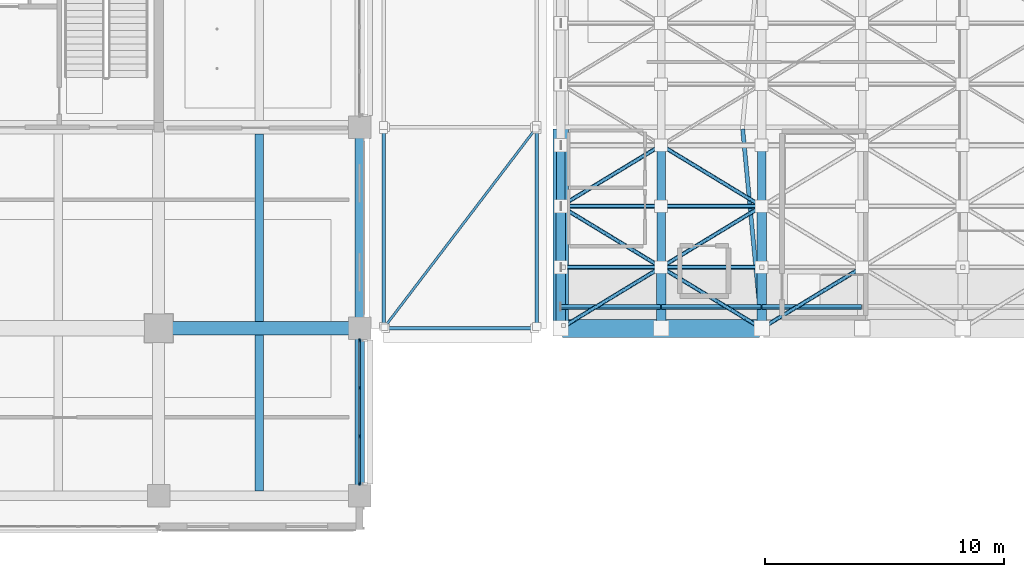
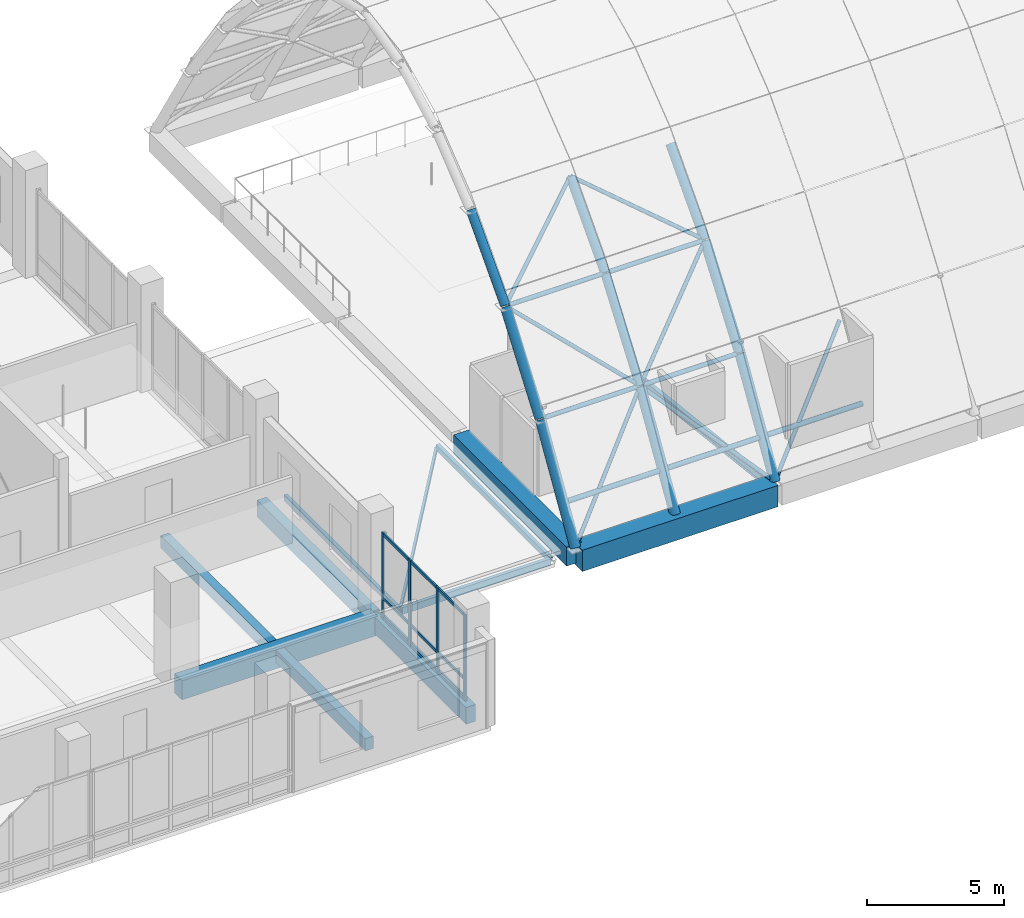
# One storey, part 22 of 128: 31 members, 17 beams, 1 element without a shape of its own.
"""IFC4 building model written with IfcOpenShell, lengths in metres."""

from ifc_helpers import new_model, si_unit, direction, frame, origin, origin_2d, place, context, subcontext, project, spatial, rectangle, hollow_rectangle, hollow_circle, i_section, extrude, material, layer, layer_set, material_profile, profile_set, type_object, element, aggregate, save


model = new_model("IFC4")

# Units and contexts
model_context = context("Model", 3, precision=1e-05, world=origin(), true_north=direction((0.0, 1.0)))
body_context = subcontext(model_context, "Body", "Model", "MODEL_VIEW")
ifc_project = project(units=[si_unit("LENGTHUNIT", "METRE"), si_unit("AREAUNIT", "SQUARE_METRE"), si_unit("VOLUMEUNIT", "CUBIC_METRE"), si_unit("PLANEANGLEUNIT", "RADIAN"), si_unit("MASSUNIT", "GRAM", prefix="KILO")], contexts=[model_context])

# Site, building, storey
site_placement = place(None, origin())
site = spatial("IfcSite", under=ifc_project, at=site_placement, CompositionType="ELEMENT")
building_placement = place(site_placement, origin())
building = spatial("IfcBuilding", under=site, at=building_placement, Name="Telukmera Botanical Conservatory", CompositionType="ELEMENT")
storey_placement = place(building_placement, frame((0.0, 0.0, 5.39990234375)))
storey = spatial("IfcBuildingStorey", under=building, at=storey_placement, Name="L01", CompositionType="ELEMENT", Elevation=5.39990234375)

# Beams
ifc_material_1 = material(Name="Concrete C40/50", Category="concrete")
ifc_material_profile_1 = material_profile(ifc_material_1, rectangle(XDim=0.35009765625, YDim=0.550048828125, at=origin_2d()), Name="RC 350x550")
ifc_profile_set_1 = profile_set([ifc_material_profile_1], Name="Concrete C40/50")
beam_type_1 = type_object("IfcBeamType", Name="Beam_B21", PredefinedType="JOIST", material=ifc_profile_set_1)
beam_1_placement = place(storey_placement, frame((105.0, 10.800048828125, -0.27490234375), z_axis=(0.0, 1.0, 0.0), x_axis=(-1.0, 0.0, 0.0)))
element("IfcBeam", 1, at=beam_1_placement, inside=storey, type_object=beam_type_1, Name="Tower Secondary Floor Joist L01", PredefinedType="JOIST", context=body_context, shape_type="SweptSolid", body=[
    extrude(rectangle(XDim=0.35009765625, YDim=0.550048828125, at=origin_2d()), origin(), (0.0, 0.0, 1.0), 6.52490234375),
])
beam_2_placement = place(storey_placement, frame((105.0, 17.875, -0.27490234375), z_axis=(0.0, 1.0, 0.0), x_axis=(-1.0, 0.0, 0.0)))
element("IfcBeam", 2, at=beam_2_placement, inside=storey, type_object=beam_type_1, Name="Tower Secondary Floor Joist L01", PredefinedType="JOIST", context=body_context, shape_type="SweptSolid", body=[
    extrude(rectangle(XDim=0.35009765625, YDim=0.550048828125, at=origin_2d()), origin(), (0.0, 0.0, 1.0), 7.85009765625),
])
ifc_material_profile_2 = material_profile(ifc_material_1, rectangle(XDim=0.550048828125, YDim=0.85009765625, at=origin_2d()), Name="RC 550x850")
ifc_profile_set_2 = profile_set([ifc_material_profile_2], Name="Concrete C40/50")
beam_type_2 = type_object("IfcBeamType", Name="Beam_B4", PredefinedType="BEAM", material=ifc_profile_set_2)
beam_3_placement = place(storey_placement, frame((100.8798828125, 17.60009765625, -0.4248046875), z_axis=(1.0, 0.0, 0.0), x_axis=(0.0, 1.0, 0.0)))
element("IfcBeam", 3, at=beam_3_placement, inside=storey, type_object=beam_type_2, Name="Tower Grid Beam L01", PredefinedType="BEAM", context=body_context, shape_type="SweptSolid", body=[
    extrude(rectangle(XDim=0.550048828125, YDim=0.85009765625, at=origin_2d()), origin(), (0.0, 0.0, 1.0), 8.240234375),
])
ifc_material_2 = material(Name="Steel S355", Category="steel")
ifc_material_profile_3 = material_profile(ifc_material_2, hollow_circle(Radius=0.203125, WallThickness=0.01611328125, at=origin_2d()), Name="CHS 406.4x16.0")
ifc_profile_set_3 = profile_set([ifc_material_profile_3], Name="Steel S355")
beam_type_3 = type_object("IfcBeamType", Name="Beam_GA1", PredefinedType="BEAM", material=ifc_profile_set_3)
beam_4_placement = place(storey_placement, frame((117.60009765625, 17.60009765625, -0.079833984375), z_axis=(0.0, 0.5205024389, 0.853860182406), x_axis=(-1.0, 0.0, 0.0)))
element("IfcBeam", 4, at=beam_4_placement, inside=storey, type_object=beam_type_3, Name="Conservatory Gridshell Primary Arch Rib A00-00", PredefinedType="BEAM", context=body_context, shape_type="SweptSolid", body=[
    extrude(hollow_circle(Radius=0.203125, WallThickness=0.01611328125, at=origin_2d()), origin(), (0.0, 0.0, 1.0), 4.879150390625),
])
beam_5_placement = place(storey_placement, frame((117.60009765625, 20.161865234375, 4.119384765625), z_axis=(0.0, 0.591606531355, 0.806226836603), x_axis=(-1.0, 0.0, 0.0)))
element("IfcBeam", 5, at=beam_5_placement, inside=storey, type_object=beam_type_3, Name="Conservatory Gridshell Primary Arch Rib A00-01", PredefinedType="BEAM", context=body_context, shape_type="SweptSolid", body=[
    extrude(hollow_circle(Radius=0.203125, WallThickness=0.01611328125, at=origin_2d()), origin(), (0.0, 0.0, 1.0), 4.270263671875),
])
beam_6_placement = place(storey_placement, frame((126.0, 17.60009765625, -0.079833984375), z_axis=(0.0, 0.5205024389, 0.853860182406), x_axis=(-1.0, 0.0, 0.0)))
element("IfcBeam", 6, at=beam_6_placement, inside=storey, type_object=beam_type_3, Name="Conservatory Gridshell Primary Arch Rib A02-00", PredefinedType="BEAM", context=body_context, shape_type="SweptSolid", body=[
    extrude(hollow_circle(Radius=0.203125, WallThickness=0.01611328125, at=origin_2d()), origin(), (0.0, 0.0, 1.0), 4.879150390625),
])
beam_7_placement = place(storey_placement, frame((126.0, 20.161865234375, 4.119384765625), z_axis=(0.0, 0.591606531355, 0.806226836603), x_axis=(-1.0, 0.0, 0.0)))
element("IfcBeam", 7, at=beam_7_placement, inside=storey, type_object=beam_type_3, Name="Conservatory Gridshell Primary Arch Rib A02-01", PredefinedType="BEAM", context=body_context, shape_type="SweptSolid", body=[
    extrude(hollow_circle(Radius=0.203125, WallThickness=0.01611328125, at=origin_2d()), origin(), (0.0, 0.0, 1.0), 4.270263671875),
])
ifc_material_profile_4 = material_profile(ifc_material_2, hollow_circle(Radius=0.177734375, WallThickness=0.012451171875, at=origin_2d()), Name="CHS 355.6x12.5")
ifc_profile_set_4 = profile_set([ifc_material_profile_4], Name="Steel S355")
beam_type_4 = type_object("IfcBeamType", Name="Beam_GA2", PredefinedType="BEAM", material=ifc_profile_set_4)
for number, where, z_axis, x_axis, name in (
    (8, (117.60009765625, 22.713623046875, 7.593017578125), (0.0, 0.677596185256, 0.7354341641), (-1.0, 0.0, 0.0), "Conservatory Gridshell Primary Arch Rib A00-02"),
    (9, (126.0, 22.713623046875, 7.593017578125), (0.0, 0.677596185256, 0.7354341641), (-1.0, 0.0, 0.0), "Conservatory Gridshell Primary Arch Rib A02-02"),
):
    element("IfcBeam", number, at=place(storey_placement, frame(where, z_axis=z_axis, x_axis=x_axis)), inside=storey, type_object=beam_type_4, Name=name, PredefinedType="BEAM", context=body_context, shape_type="SweptSolid", body=[
        extrude(hollow_circle(Radius=0.177734375, WallThickness=0.012451171875, at=origin_2d()), origin(), (0.0, 0.0, 1.0), 3.722900390625),
    ])
ifc_material_profile_5 = material_profile(ifc_material_1, rectangle(XDim=0.75, YDim=0.949951171875, at=origin_2d()), Name="RC 750x950")
ifc_profile_set_5 = profile_set([ifc_material_profile_5], Name="Concrete C40/50")
beam_type_5 = type_object("IfcBeamType", Name="Beam_RB1", PredefinedType="BEAM", material=ifc_profile_set_5)
beam_8_placement = place(storey_placement, frame((117.679931640625, 17.60009765625, -0.474853515625), z_axis=(1.0, 0.0, 0.0), x_axis=(0.0, 1.0, 0.0)))
element("IfcBeam", 10, at=beam_8_placement, inside=storey, type_object=beam_type_5, Name="Conservatory Beam beam:V1:L01:rb_x:176:1176", PredefinedType="BEAM", context=body_context, shape_type="SweptSolid", body=[
    extrude(rectangle(XDim=0.75, YDim=0.949951171875, at=origin_2d()), origin(), (0.0, 0.0, 1.0), 8.239990234375),
])
ifc_material_profile_6 = material_profile(ifc_material_1, rectangle(XDim=0.64990234375, YDim=0.85009765625, at=origin_2d()), Name="RC 650x850")
ifc_profile_set_6 = profile_set([ifc_material_profile_6], Name="Concrete C40/50")
beam_type_6 = type_object("IfcBeamType", Name="Beam_RB2", PredefinedType="BEAM", material=ifc_profile_set_6)
beam_9_placement = place(storey_placement, frame((117.60009765625, 17.679931640625, -0.4248046875), z_axis=(0.0, 1.0, 0.0), x_axis=(-1.0, 0.0, 0.0)))
element("IfcBeam", 11, at=beam_9_placement, inside=storey, type_object=beam_type_6, Name="Conservatory Beam beam:V1:L01:rb_y:1176:176", PredefinedType="BEAM", context=body_context, shape_type="SweptSolid", body=[
    extrude(rectangle(XDim=0.64990234375, YDim=0.85009765625, at=origin_2d()), origin(), (0.0, 0.0, 1.0), 8.239990234375),
])
ifc_material_profile_7 = material_profile(ifc_material_2, i_section(OverallWidth=0.172119140625, OverallDepth=0.35791015625, WebThickness=0.008056640625, FlangeThickness=0.012939453125, FilletRadius=0.01025390625, at=origin_2d()), Name="UB 356x171x57")
ifc_profile_set_7 = profile_set([ifc_material_profile_7], Name="Steel S355")
beam_type_7 = type_object("IfcBeamType", Name="Beam_SB5", PredefinedType="JOIST", material=ifc_profile_set_7)
beam_10_placement = place(storey_placement, frame((125.992431640625, 17.6796875, -0.37890625), z_axis=(-0.094818835136, 0.995494544688, 0.0), x_axis=(-0.995494544688, -0.094818835136, 0.0)))
element("IfcBeam", 12, at=beam_10_placement, inside=storey, type_object=beam_type_7, Name="Conservatory Skywalk Transverse Steel Beam", PredefinedType="JOIST", context=body_context, shape_type="SweptSolid", body=[
    extrude(i_section(OverallWidth=0.172119140625, OverallDepth=0.35791015625, WebThickness=0.008056640625, FlangeThickness=0.012939453125, FilletRadius=0.01025390625, at=origin_2d()), origin(), (0.0, 0.0, 1.0), 8.278076171875),
])
ifc_material_profile_8 = material_profile(ifc_material_2, hollow_rectangle(XDim=0.14990234375, YDim=0.300048828125, WallThickness=0.010009765625, at=origin_2d()), Name="RHS 300x150x10.0")
ifc_profile_set_8 = profile_set([ifc_material_profile_8], Name="Steel S355")
beam_type_8 = type_object("IfcBeamType", Name="Beam_SB8", PredefinedType="BEAM", material=ifc_profile_set_8)
beam_11_placement = place(storey_placement, frame((110.280029296875, 17.60009765625, -0.309814453125), z_axis=(1.0, 0.0, 0.0), x_axis=(0.0, 1.0, 0.0)))
element("IfcBeam", 13, at=beam_11_placement, inside=storey, type_object=beam_type_8, Name="Canopy Steel Girder east_link", PredefinedType="BEAM", context=body_context, shape_type="SweptSolid", body=[
    extrude(hollow_rectangle(XDim=0.14990234375, YDim=0.300048828125, WallThickness=0.010009765625, at=origin_2d()), origin(), (0.0, 0.0, 1.0), 6.239990234375),
])
ifc_material_profile_9 = material_profile(ifc_material_2, hollow_rectangle(XDim=0.14990234375, YDim=0.25, WallThickness=0.008056640625, at=origin_2d()), Name="RHS 250x150x8.0")
ifc_profile_set_9 = profile_set([ifc_material_profile_9], Name="Steel S355")
beam_type_9 = type_object("IfcBeamType", Name="Beam_SB9", PredefinedType="JOIST", material=ifc_profile_set_9)
for number, where, z_axis, x_axis, name in (
    (14, (110.199951171875, 17.679931640625, -0.284912109375), (0.0, 1.0, 0.0), (-1.0, 0.0, 0.0), "Canopy Steel Purlin east_link"),
    (15, (116.60009765625, 17.679931640625, -0.284912109375), (0.0, 1.0, 0.0), (-1.0, 0.0, 0.0), "Canopy Steel Purlin east_link"),
):
    element("IfcBeam", number, at=place(storey_placement, frame(where, z_axis=z_axis, x_axis=x_axis)), inside=storey, type_object=beam_type_9, Name=name, PredefinedType="JOIST", context=body_context, shape_type="SweptSolid", body=[
        extrude(hollow_rectangle(XDim=0.14990234375, YDim=0.25, WallThickness=0.008056640625, at=origin_2d()), origin(), (0.0, 0.0, 1.0), 8.239990234375),
    ])
ifc_material_3 = material(Name="Precast concrete C40/50", Category="concrete")
ifc_material_profile_10 = material_profile(ifc_material_3, rectangle(XDim=0.39990234375, YDim=0.75, at=origin_2d()), Name="PC 400x750")
ifc_profile_set_10 = profile_set([ifc_material_profile_10], Name="Precast concrete C40/50")
beam_type_10 = type_object("IfcBeamType", Name="Beam_SP1", PredefinedType="SPANDREL", material=ifc_profile_set_10)
beam_12_placement = place(storey_placement, frame((109.199951171875, 10.679931640625, -0.375), z_axis=(0.0, 1.0, 0.0), x_axis=(-1.0, 0.0, 0.0)))
element("IfcBeam", 16, at=beam_12_placement, inside=storey, type_object=beam_type_10, Name="Tower Transverse Beam L01", PredefinedType="SPANDREL", context=body_context, shape_type="SweptSolid", body=[
    extrude(rectangle(XDim=0.39990234375, YDim=0.75, at=origin_2d()), origin(), (0.0, 0.0, 1.0), 6.840087890625),
])
beam_13_placement = place(storey_placement, frame((109.199951171875, 17.679931640625, -0.375), z_axis=(0.0, 1.0, 0.0), x_axis=(-1.0, 0.0, 0.0)))
element("IfcBeam", 17, at=beam_13_placement, inside=storey, type_object=beam_type_10, Name="Tower Transverse Beam L01", PredefinedType="SPANDREL", context=body_context, shape_type="SweptSolid", body=[
    extrude(rectangle(XDim=0.39990234375, YDim=0.75, at=origin_2d()), origin(), (0.0, 0.0, 1.0), 8.239990234375),
])

# Curtain wall, members
ifc_material_4 = material(Name="Anodised aluminium 6063-T6", Category="aluminium")
ifc_layer = layer(ifc_material_4, 0.179931640625)
ifc_layer_set = layer_set([ifc_layer], Name="Anodised aluminium 6063-T6")
curtain_wall_type = type_object("IfcCurtainWallType", Name="Tower Reference Library Curtain Wall", PredefinedType="USERDEFINED", material=ifc_layer_set)
curtain_wall_placement = place(storey_placement, origin())
curtain_wall = element("IfcCurtainWall", 18, at=curtain_wall_placement, inside=storey, type_object=curtain_wall_type, Name="Unitised Curtain Wall CW13 V4:L01:E1", ObjectType="UNITISED CURTAIN WALL", PredefinedType="USERDEFINED")
ifc_material_profile_11 = material_profile(ifc_material_4, rectangle(XDim=0.06494140625, YDim=0.159912109375, at=origin_2d()), Name="ALU MULL 65x160")
ifc_profile_set_11 = profile_set([ifc_material_profile_11], Name="Anodised aluminium 6063-T6")
member_type_1 = type_object("IfcMemberType", Name="Curtain Wall Extruded Mullion 65x160", PredefinedType="MULLION", material=ifc_profile_set_11)
member_1_placement = place(storey_placement, frame((109.199951171875, 11.109619140625, 0.0), z_axis=(0.0, 0.0, 1.0), x_axis=(-1.0, 0.0, 0.0)))
member_1 = element("IfcMember", 19, at=member_1_placement, type_object=member_type_1, Name="CW13 mullion 1", PredefinedType="MULLION", context=body_context, shape_type="SweptSolid", body=[
    extrude(rectangle(XDim=0.06494140625, YDim=0.159912109375, at=origin_2d()), origin(), (0.0, 0.0, 1.0), 3.85009765625),
])
member_2_placement = place(storey_placement, frame((109.199951171875, 13.09228515625, 0.0), z_axis=(0.0, 0.0, 1.0), x_axis=(-1.0, 0.0, 0.0)))
member_2 = element("IfcMember", 20, at=member_2_placement, type_object=member_type_1, Name="CW13 mullion 2", PredefinedType="MULLION", context=body_context, shape_type="SweptSolid", body=[
    extrude(rectangle(XDim=0.06494140625, YDim=0.159912109375, at=origin_2d()), origin(), (0.0, 0.0, 1.0), 3.85009765625),
])
member_3_placement = place(storey_placement, frame((109.199951171875, 15.107666015625, 0.0), z_axis=(0.0, 0.0, 1.0), x_axis=(-1.0, 0.0, 0.0)))
member_3 = element("IfcMember", 21, at=member_3_placement, type_object=member_type_1, Name="CW13 mullion 3", PredefinedType="MULLION", context=body_context, shape_type="SweptSolid", body=[
    extrude(rectangle(XDim=0.06494140625, YDim=0.159912109375, at=origin_2d()), origin(), (0.0, 0.0, 1.0), 3.85009765625),
])
member_4_placement = place(storey_placement, frame((109.199951171875, 17.090576171875, 0.0), z_axis=(0.0, 0.0, 1.0), x_axis=(-1.0, 0.0, 0.0)))
member_4 = element("IfcMember", 22, at=member_4_placement, type_object=member_type_1, Name="CW13 mullion 4", PredefinedType="MULLION", context=body_context, shape_type="SweptSolid", body=[
    extrude(rectangle(XDim=0.06494140625, YDim=0.159912109375, at=origin_2d()), origin(), (0.0, 0.0, 1.0), 3.85009765625),
])
ifc_material_profile_12 = material_profile(ifc_material_4, rectangle(XDim=0.06494140625, YDim=0.1298828125, at=origin_2d()), Name="ALU TRAN 65x130")
ifc_profile_set_12 = profile_set([ifc_material_profile_12], Name="Anodised aluminium 6063-T6")
member_type_2 = type_object("IfcMemberType", Name="Curtain Wall Extruded Transom 65x130", PredefinedType="USERDEFINED", material=ifc_profile_set_12)
member_5_placement = place(storey_placement, frame((109.199951171875, 11.14208984375, 0.065185546875), z_axis=(0.0, 1.0, 0.0), x_axis=(-1.0, 0.0, 0.0)))
member_5 = element("IfcMember", 23, at=member_5_placement, type_object=member_type_2, Name="CW13 transom 1.1", ObjectType="TRANSOM", PredefinedType="USERDEFINED", context=body_context, shape_type="SweptSolid", body=[
    extrude(rectangle(XDim=0.06494140625, YDim=0.1298828125, at=origin_2d()), origin(), (0.0, 0.0, 1.0), 1.917724609375),
])
member_6_placement = place(storey_placement, frame((109.199951171875, 11.14208984375, 0.9501953125), z_axis=(0.0, 1.0, 0.0), x_axis=(-1.0, 0.0, 0.0)))
member_6 = element("IfcMember", 24, at=member_6_placement, type_object=member_type_2, Name="CW13 transom 1.2", ObjectType="TRANSOM", PredefinedType="USERDEFINED", context=body_context, shape_type="SweptSolid", body=[
    extrude(rectangle(XDim=0.06494140625, YDim=0.1298828125, at=origin_2d()), origin(), (0.0, 0.0, 1.0), 1.917724609375),
])
member_7_placement = place(storey_placement, frame((109.199951171875, 11.14208984375, 3.78515625), z_axis=(0.0, 1.0, 0.0), x_axis=(-1.0, 0.0, 0.0)))
member_7 = element("IfcMember", 25, at=member_7_placement, type_object=member_type_2, Name="CW13 transom 1.3", ObjectType="TRANSOM", PredefinedType="USERDEFINED", context=body_context, shape_type="SweptSolid", body=[
    extrude(rectangle(XDim=0.06494140625, YDim=0.1298828125, at=origin_2d()), origin(), (0.0, 0.0, 1.0), 1.917724609375),
])
member_8_placement = place(storey_placement, frame((109.199951171875, 13.124755859375, 0.065185546875), z_axis=(0.0, 1.0, 0.0), x_axis=(-1.0, 0.0, 0.0)))
member_8 = element("IfcMember", 26, at=member_8_placement, type_object=member_type_2, Name="CW13 transom 2.1", ObjectType="TRANSOM", PredefinedType="USERDEFINED", context=body_context, shape_type="SweptSolid", body=[
    extrude(rectangle(XDim=0.06494140625, YDim=0.1298828125, at=origin_2d()), origin(), (0.0, 0.0, 1.0), 1.950439453125),
])
member_9_placement = place(storey_placement, frame((109.199951171875, 13.124755859375, 0.9501953125), z_axis=(0.0, 1.0, 0.0), x_axis=(-1.0, 0.0, 0.0)))
member_9 = element("IfcMember", 27, at=member_9_placement, type_object=member_type_2, Name="CW13 transom 2.2", ObjectType="TRANSOM", PredefinedType="USERDEFINED", context=body_context, shape_type="SweptSolid", body=[
    extrude(rectangle(XDim=0.06494140625, YDim=0.1298828125, at=origin_2d()), origin(), (0.0, 0.0, 1.0), 1.950439453125),
])
member_10_placement = place(storey_placement, frame((109.199951171875, 13.124755859375, 3.78515625), z_axis=(0.0, 1.0, 0.0), x_axis=(-1.0, 0.0, 0.0)))
member_10 = element("IfcMember", 28, at=member_10_placement, type_object=member_type_2, Name="CW13 transom 2.3", ObjectType="TRANSOM", PredefinedType="USERDEFINED", context=body_context, shape_type="SweptSolid", body=[
    extrude(rectangle(XDim=0.06494140625, YDim=0.1298828125, at=origin_2d()), origin(), (0.0, 0.0, 1.0), 1.950439453125),
])
member_11_placement = place(storey_placement, frame((109.199951171875, 15.14013671875, 0.065185546875), z_axis=(0.0, 1.0, 0.0), x_axis=(-1.0, 0.0, 0.0)))
member_11 = element("IfcMember", 29, at=member_11_placement, type_object=member_type_2, Name="CW13 transom 3.1", ObjectType="TRANSOM", PredefinedType="USERDEFINED", context=body_context, shape_type="SweptSolid", body=[
    extrude(rectangle(XDim=0.06494140625, YDim=0.1298828125, at=origin_2d()), origin(), (0.0, 0.0, 1.0), 1.91796875),
])
member_12_placement = place(storey_placement, frame((109.199951171875, 15.14013671875, 0.9501953125), z_axis=(0.0, 1.0, 0.0), x_axis=(-1.0, 0.0, 0.0)))
member_12 = element("IfcMember", 30, at=member_12_placement, type_object=member_type_2, Name="CW13 transom 3.2", ObjectType="TRANSOM", PredefinedType="USERDEFINED", context=body_context, shape_type="SweptSolid", body=[
    extrude(rectangle(XDim=0.06494140625, YDim=0.1298828125, at=origin_2d()), origin(), (0.0, 0.0, 1.0), 1.91796875),
])
member_13_placement = place(storey_placement, frame((109.199951171875, 15.14013671875, 3.78515625), z_axis=(0.0, 1.0, 0.0), x_axis=(-1.0, 0.0, 0.0)))
member_13 = element("IfcMember", 31, at=member_13_placement, type_object=member_type_2, Name="CW13 transom 3.3", ObjectType="TRANSOM", PredefinedType="USERDEFINED", context=body_context, shape_type="SweptSolid", body=[
    extrude(rectangle(XDim=0.06494140625, YDim=0.1298828125, at=origin_2d()), origin(), (0.0, 0.0, 1.0), 1.91796875),
])
aggregate(curtain_wall, [member_1, member_2, member_3, member_4, member_5, member_6, member_7, member_8, member_9, member_10, member_11, member_12, member_13])

# Members
ifc_material_profile_13 = material_profile(ifc_material_2, hollow_circle(Radius=0.084228515625, WallThickness=0.008056640625, at=origin_2d()), Name="CHS 168.3x8.0")
ifc_profile_set_13 = profile_set([ifc_material_profile_13], Name="Steel S355")
member_type_3 = type_object("IfcMemberType", Name="Mem_GBX1", PredefinedType="USERDEFINED", material=ifc_profile_set_13)
member_14_placement = place(storey_placement, frame((117.60009765625, 17.60009765625, -0.079833984375), z_axis=(0.650865922771, 0.395153697796, 0.648249262008), x_axis=(-0.518963837977, 0.854796194933, 0.0)))
element("IfcMember", 32, at=member_14_placement, inside=storey, type_object=member_type_3, Name="Conservatory Gridshell Diagrid Lacing Rib D00-00", ObjectType="GRIDSHELL_RIB", PredefinedType="USERDEFINED", context=body_context, shape_type="SweptSolid", body=[
    extrude(hollow_circle(Radius=0.084228515625, WallThickness=0.008056640625, at=origin_2d()), origin(), (0.0, 0.0, 1.0), 6.437744140625),
])
member_15_placement = place(storey_placement, frame((121.78955078125, 20.156494140625, 4.11181640625), z_axis=(-0.697882692567, 0.423695562374, 0.577444211885), x_axis=(-0.518961193204, -0.854797800622, 0.0)))
element("IfcMember", 33, at=member_15_placement, inside=storey, type_object=member_type_3, Name="Conservatory Gridshell Diagrid Lacing Rib D00-01", ObjectType="GRIDSHELL_RIB", PredefinedType="USERDEFINED", context=body_context, shape_type="SweptSolid", body=[
    extrude(hollow_circle(Radius=0.084228515625, WallThickness=0.008056640625, at=origin_2d()), origin(), (0.0, 0.0, 1.0), 5.988037109375),
])
member_16_placement = place(storey_placement, frame((117.611083984375, 22.706787109375, 7.585693359375), z_axis=(0.744790622778, 0.452175653345, 0.49073832818), x_axis=(-0.518962491813, 0.854797012215, 0.0)))
element("IfcMember", 34, at=member_16_placement, inside=storey, type_object=member_type_3, Name="Conservatory Gridshell Diagrid Lacing Rib D00-02", ObjectType="GRIDSHELL_RIB", PredefinedType="USERDEFINED", context=body_context, shape_type="SweptSolid", body=[
    extrude(hollow_circle(Radius=0.084228515625, WallThickness=0.008056640625, at=origin_2d()), origin(), (0.0, 0.0, 1.0), 5.609375),
])
member_17_placement = place(storey_placement, frame((126.0, 17.60009765625, -0.079833984375), z_axis=(-0.650865922771, 0.395153697796, 0.648249262008), x_axis=(-0.518963837977, -0.854796194933, 0.0)))
element("IfcMember", 35, at=member_17_placement, inside=storey, type_object=member_type_3, Name="Conservatory Gridshell Diagrid Lacing Rib D01-00", ObjectType="GRIDSHELL_RIB", PredefinedType="USERDEFINED", context=body_context, shape_type="SweptSolid", body=[
    extrude(hollow_circle(Radius=0.084228515625, WallThickness=0.008056640625, at=origin_2d()), origin(), (0.0, 0.0, 1.0), 6.437744140625),
])
member_18_placement = place(storey_placement, frame((121.810546875, 20.156494140625, 4.11181640625), z_axis=(0.697882692567, 0.423695562374, 0.577444211885), x_axis=(-0.518961193204, 0.854797800622, 0.0)))
element("IfcMember", 36, at=member_18_placement, inside=storey, type_object=member_type_3, Name="Conservatory Gridshell Diagrid Lacing Rib D01-01", ObjectType="GRIDSHELL_RIB", PredefinedType="USERDEFINED", context=body_context, shape_type="SweptSolid", body=[
    extrude(hollow_circle(Radius=0.084228515625, WallThickness=0.008056640625, at=origin_2d()), origin(), (0.0, 0.0, 1.0), 5.988037109375),
])
member_19_placement = place(storey_placement, frame((125.98876953125, 22.706787109375, 7.585693359375), z_axis=(-0.74477124096, 0.452190311632, 0.490754236563), x_axis=(-0.518984652148, -0.854783557888, 0.0)))
element("IfcMember", 37, at=member_19_placement, inside=storey, type_object=member_type_3, Name="Conservatory Gridshell Diagrid Lacing Rib D01-02", ObjectType="GRIDSHELL_RIB", PredefinedType="USERDEFINED", context=body_context, shape_type="SweptSolid", body=[
    extrude(hollow_circle(Radius=0.084228515625, WallThickness=0.008056640625, at=origin_2d()), origin(), (0.0, 0.0, 1.0), 5.609130859375),
])
member_20_placement = place(storey_placement, frame((126.0, 17.60009765625, -0.079833984375), z_axis=(0.650865922771, 0.395153697796, 0.648249262008), x_axis=(-0.518963837977, 0.854796194933, 0.0)))
element("IfcMember", 38, at=member_20_placement, inside=storey, type_object=member_type_3, Name="Conservatory Gridshell Diagrid Lacing Rib D02-00", ObjectType="GRIDSHELL_RIB", PredefinedType="USERDEFINED", context=body_context, shape_type="SweptSolid", body=[
    extrude(hollow_circle(Radius=0.084228515625, WallThickness=0.008056640625, at=origin_2d()), origin(), (0.0, 0.0, 1.0), 6.437744140625),
])
ifc_material_profile_14 = material_profile(ifc_material_2, hollow_circle(Radius=0.203125, WallThickness=0.01611328125, at=origin_2d()), Name="CHS 406.4x16.0")
ifc_profile_set_14 = profile_set([ifc_material_profile_14], Name="Steel S355")
member_type_4 = type_object("IfcMemberType", Name="Mem_GM1", PredefinedType="USERDEFINED", material=ifc_profile_set_14)
member_21_placement = place(storey_placement, frame((121.800048828125, 17.60009765625, -0.079833984375), z_axis=(0.0, 0.5205024389, 0.853860182406), x_axis=(-1.0, 0.0, 0.0)))
element("IfcMember", 39, at=member_21_placement, inside=storey, type_object=member_type_4, Name="Conservatory Gridshell Arch Segment A01-00", ObjectType="ARCH_SEGMENT", PredefinedType="USERDEFINED", context=body_context, shape_type="SweptSolid", body=[
    extrude(hollow_circle(Radius=0.203125, WallThickness=0.01611328125, at=origin_2d()), origin(), (0.0, 0.0, 1.0), 4.879150390625),
])
ifc_material_profile_15 = material_profile(ifc_material_2, hollow_circle(Radius=0.177734375, WallThickness=0.012451171875, at=origin_2d()), Name="CHS 355.6x12.5")
ifc_profile_set_15 = profile_set([ifc_material_profile_15], Name="Steel S355")
member_type_5 = type_object("IfcMemberType", Name="Mem_GM2", PredefinedType="USERDEFINED", material=ifc_profile_set_15)
member_22_placement = place(storey_placement, frame((121.800048828125, 20.161865234375, 4.119384765625), z_axis=(0.0, 0.591606531355, 0.806226836603), x_axis=(-1.0, 0.0, 0.0)))
element("IfcMember", 40, at=member_22_placement, inside=storey, type_object=member_type_5, Name="Conservatory Gridshell Arch Segment A01-01", ObjectType="ARCH_SEGMENT", PredefinedType="USERDEFINED", context=body_context, shape_type="SweptSolid", body=[
    extrude(hollow_circle(Radius=0.177734375, WallThickness=0.012451171875, at=origin_2d()), origin(), (0.0, 0.0, 1.0), 4.270263671875),
])
member_23_placement = place(storey_placement, frame((121.800048828125, 22.713623046875, 7.593017578125), z_axis=(0.0, 0.677596185256, 0.7354341641), x_axis=(-1.0, 0.0, 0.0)))
element("IfcMember", 41, at=member_23_placement, inside=storey, type_object=member_type_5, Name="Conservatory Gridshell Arch Segment A01-02", ObjectType="ARCH_SEGMENT", PredefinedType="USERDEFINED", context=body_context, shape_type="SweptSolid", body=[
    extrude(hollow_circle(Radius=0.177734375, WallThickness=0.012451171875, at=origin_2d()), origin(), (0.0, 0.0, 1.0), 3.722900390625),
])
ifc_material_profile_16 = material_profile(ifc_material_2, hollow_circle(Radius=0.109619140625, WallThickness=0.010009765625, at=origin_2d()), Name="CHS 219.1x10.0")
ifc_profile_set_16 = profile_set([ifc_material_profile_16], Name="Steel S355")
member_type_6 = type_object("IfcMemberType", Name="Mem_GP1", PredefinedType="PURLIN", material=ifc_profile_set_16)
member_24_placement = place(storey_placement, frame((117.60498046875, 18.492431640625, 1.38427734375), z_axis=(1.0, 0.0, 0.0), x_axis=(0.0, 1.0, 0.0)))
element("IfcMember", 42, at=member_24_placement, inside=storey, type_object=member_type_6, Name="Conservatory Gridshell Longitudinal Rib P00-00", PredefinedType="PURLIN", context=body_context, shape_type="SweptSolid", body=[
    extrude(hollow_circle(Radius=0.109619140625, WallThickness=0.010009765625, at=origin_2d()), origin(), (0.0, 0.0, 1.0), 4.175048828125),
])
for number, where, z_axis, x_axis, name in (
    (43, (121.820068359375, 18.492431640625, 1.38427734375), (1.0, 0.0, 0.0), (0.0, 1.0, 0.0), "Conservatory Gridshell Longitudinal Rib P01-00"),
    (44, (126.02001953125, 18.492431640625, 1.38427734375), (1.0, 0.0, 0.0), (0.0, 1.0, 0.0), "Conservatory Gridshell Longitudinal Rib P02-00"),
):
    element("IfcMember", number, at=place(storey_placement, frame(where, z_axis=z_axis, x_axis=x_axis)), inside=storey, type_object=member_type_6, Name=name, PredefinedType="PURLIN", context=body_context, shape_type="SweptSolid", body=[
        extrude(hollow_circle(Radius=0.109619140625, WallThickness=0.010009765625, at=origin_2d()), origin(), (0.0, 0.0, 1.0), 4.159912109375),
    ])
ifc_material_profile_17 = material_profile(ifc_material_2, hollow_circle(Radius=0.096923828125, WallThickness=0.008056640625, at=origin_2d()), Name="CHS 193.7x8.0")
ifc_profile_set_17 = profile_set([ifc_material_profile_17], Name="Steel S355")
member_type_7 = type_object("IfcMemberType", Name="Mem_GP2", PredefinedType="PURLIN", material=ifc_profile_set_17)
for number, where, z_axis, x_axis, name in (
    (45, (117.6201171875, 20.14990234375, 4.103271484375), (1.0, 0.0, 0.0), (0.0, 1.0, 0.0), "Conservatory Gridshell Longitudinal Rib P00-01"),
    (46, (117.6201171875, 22.699951171875, 7.578369140625), (1.0, 0.0, 0.0), (0.0, 1.0, 0.0), "Conservatory Gridshell Longitudinal Rib P00-02"),
    (47, (121.820068359375, 20.14990234375, 4.103271484375), (1.0, 0.0, 0.0), (0.0, 1.0, 0.0), "Conservatory Gridshell Longitudinal Rib P01-01"),
    (48, (121.820068359375, 22.699951171875, 7.578369140625), (1.0, 0.0, 0.0), (0.0, 1.0, 0.0), "Conservatory Gridshell Longitudinal Rib P01-02"),
):
    element("IfcMember", number, at=place(storey_placement, frame(where, z_axis=z_axis, x_axis=x_axis)), inside=storey, type_object=member_type_7, Name=name, PredefinedType="PURLIN", context=body_context, shape_type="SweptSolid", body=[
        extrude(hollow_circle(Radius=0.096923828125, WallThickness=0.008056640625, at=origin_2d()), origin(), (0.0, 0.0, 1.0), 4.159912109375),
    ])
ifc_material_profile_18 = material_profile(ifc_material_2, hollow_rectangle(XDim=0.10009765625, YDim=0.199951171875, WallThickness=0.00634765625, at=origin_2d()), Name="RHS 200x100x6.3")
ifc_profile_set_18 = profile_set([ifc_material_profile_18], Name="Steel S355")
member_type_8 = type_object("IfcMemberType", Name="Mem_TD3", PredefinedType="BRACE", material=ifc_profile_set_18)
member_25_placement = place(storey_placement, frame((110.236328125, 17.647705078125, -0.3798828125), z_axis=(0.606043919803, 0.79543118324, 0.0), x_axis=(-0.79543118324, 0.606043919803, 0.0)))
element("IfcMember", 49, at=member_25_placement, inside=storey, type_object=member_type_8, Name="Canopy Plan Wind Brace east_link", PredefinedType="BRACE", context=body_context, shape_type="SweptSolid", body=[
    extrude(hollow_rectangle(XDim=0.10009765625, YDim=0.199951171875, WallThickness=0.00634765625, at=origin_2d()), origin(), (0.0, 0.0, 1.0), 10.4404296875),
])

save(model, "model.ifc")
